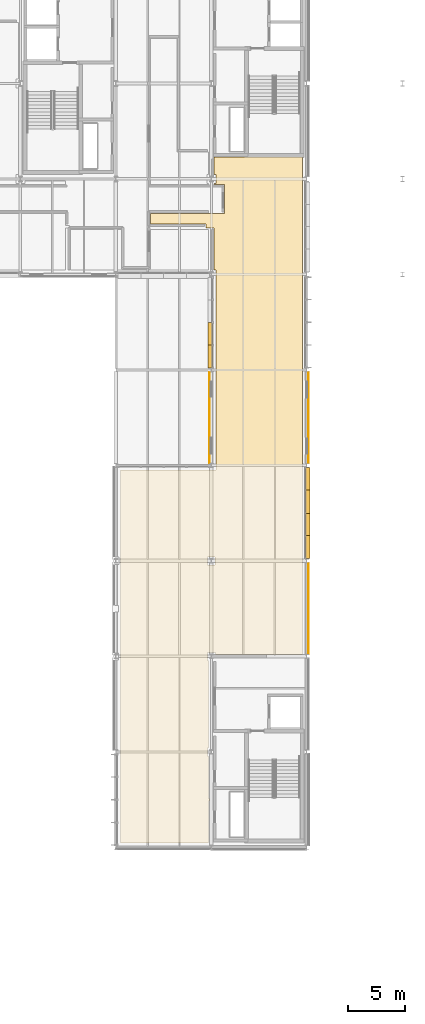
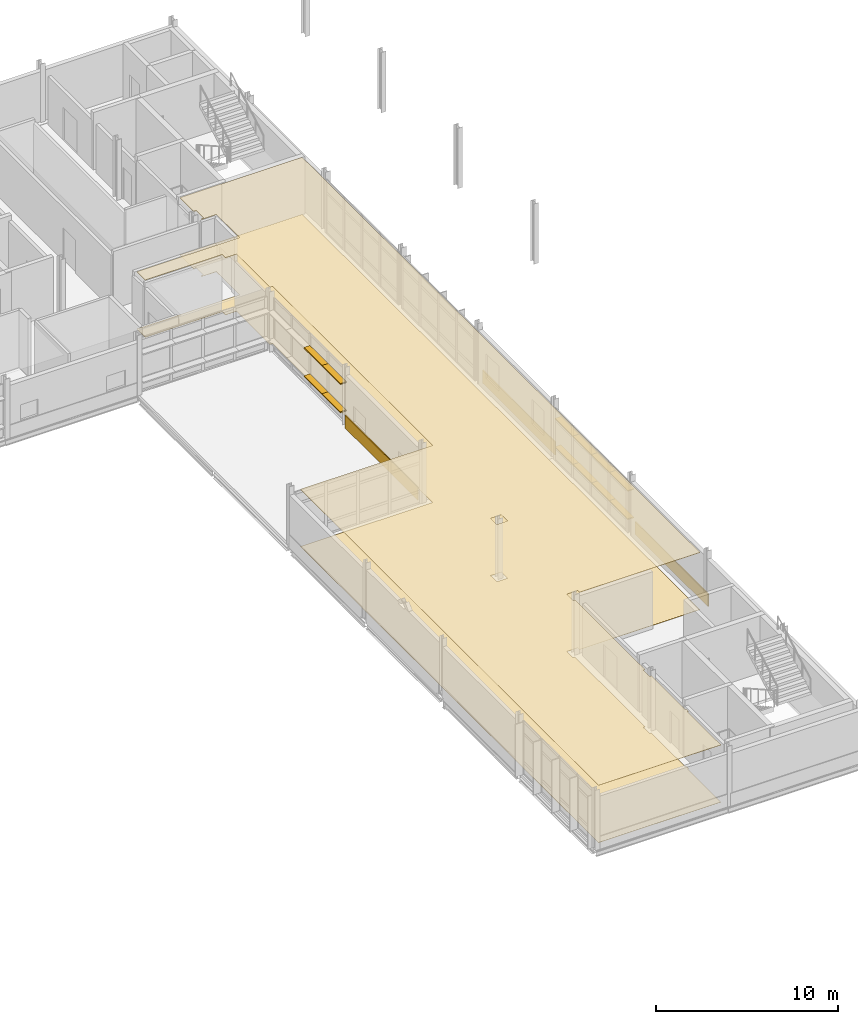
# One storey, part 100 of 103: 12 shading devices, 5 coverings.
"""IFC4 building model written with IfcOpenShell, lengths in metres."""

import ifcopenshell
import ifcopenshell.guid

model = None  # the IFC model being written
_history = None  # IfcOwnerHistory: only IFC2X3 demands one
_inside = {}  # id of a spatial element -> (the spatial element, [elements in it])
_under = {}  # id of a project, library or spatial element -> (it, [spatial elements below it])
_declared = {}  # id of a project -> (the project, [libraries it declares])
_typed = {}  # id of a type object -> (the type object, [elements of that type])
_made_of = {}  # id of a material, layer set ... -> (it, [elements and type objects made of it])


def new_model(schema):
    """Start an empty IFC model of exactly this schema.

    Asked for "IFC4X3", IfcOpenShell would pick the latest addendum, in which some entities
    have other attributes; the version numbers below select the first issue.
    IFC2X3 requires an IfcOwnerHistory on every rooted entity: one is made here for all.
    """
    global model, _history
    if schema == "IFC4X3":
        model = ifcopenshell.file(schema_version=(4, 3, 0, 0))
    else:
        model = ifcopenshell.file(schema=schema)
    _inside.clear()
    _under.clear()
    _declared.clear()
    _typed.clear()
    _made_of.clear()
    _history = None
    if model.schema == "IFC2X3":
        org = make("IfcOrganization", Name="unknown")
        user = make(
            "IfcPersonAndOrganization",
            ThePerson=make("IfcPerson", FamilyName="unknown"),
            TheOrganization=org,
        )
        app = make(
            "IfcApplication",
            ApplicationDeveloper=org,
            Version="unknown",
            ApplicationFullName="unknown",
            ApplicationIdentifier="unknown",
        )
        _history = make(
            "IfcOwnerHistory",
            OwningUser=user,
            OwningApplication=app,
            ChangeAction="ADDED",
            CreationDate=0,
        )
    return model


def make(cls, **values):
    """One entity of the class cls with the attributes given. An attribute that is None is left unset."""
    return model.create_entity(
        cls, **{name: value for name, value in values.items() if value is not None}
    )


def rooted(cls, **values):
    """An entity with a GlobalId (a new one), such as an element, a storey or a relation."""
    return make(cls, GlobalId=ifcopenshell.guid.new(), OwnerHistory=_history, **values)


def si_unit(unit_type, name, prefix=None):
    """IfcSIUnit, for example si_unit("LENGTHUNIT", "METRE", prefix="MILLI")."""
    return make("IfcSIUnit", UnitType=unit_type, Prefix=prefix, Name=name)


def assignment(units):
    """IfcUnitAssignment: the units of a project."""
    return None if units is None else make("IfcUnitAssignment", Units=units)


def point(xyz):
    """IfcCartesianPoint."""
    return None if xyz is None else make("IfcCartesianPoint", Coordinates=xyz)


def direction(xyz):
    """IfcDirection."""
    return None if xyz is None else make("IfcDirection", DirectionRatios=xyz)


def frame(location, z_axis=None, x_axis=None):
    """IfcAxis2Placement3D, a coordinate frame: its origin and axes. An axis left out is left unset."""
    return make(
        "IfcAxis2Placement3D",
        Location=point(location),
        Axis=direction(z_axis),
        RefDirection=direction(x_axis),
    )


def frame_2d(location, x_axis=None):
    """IfcAxis2Placement2D, a coordinate frame in the plane: its origin and x axis."""
    return make(
        "IfcAxis2Placement2D", Location=point(location), RefDirection=direction(x_axis)
    )


def origin():
    """The frame at (0, 0, 0) with its axes left unset."""
    return frame((0.0, 0.0, 0.0))


def origin_2d():
    """The frame at (0, 0) in the plane with its x axis left unset."""
    return frame_2d((0.0, 0.0))


def place(relative_to, where):
    """IfcLocalPlacement: puts the frame where relative to a parent placement (None: the world)."""
    return make(
        "IfcLocalPlacement", PlacementRelTo=relative_to, RelativePlacement=where
    )


def context(
    kind, dimensions, precision=None, world=None, true_north=None, identifier=None
):
    """IfcGeometricRepresentationContext, for example the 3D "Model" context."""
    return make(
        "IfcGeometricRepresentationContext",
        ContextIdentifier=identifier,
        ContextType=kind,
        CoordinateSpaceDimension=dimensions,
        Precision=precision,
        WorldCoordinateSystem=world,
        TrueNorth=true_north,
    )


def subcontext(parent, identifier, kind, view, scale=None):
    """IfcGeometricRepresentationSubContext, for example "Body" below "Model"."""
    return make(
        "IfcGeometricRepresentationSubContext",
        ContextIdentifier=identifier,
        ContextType=kind,
        ParentContext=parent,
        TargetScale=scale,
        TargetView=view,
    )


def project(units=None, contexts=None):
    """IfcProject with its units and contexts."""
    return rooted(
        "IfcProject",
        Name="project",
        RepresentationContexts=contexts,
        UnitsInContext=assignment(units),
    )


def spatial(cls, under=None, at=None, **own):
    """A site, building, storey or space (cls), placed at a placement, below another one or the project."""
    s = rooted(cls, ObjectPlacement=at, **own)
    if under is not None:
        _under.setdefault(under.id(), (under, []))[1].append(s)
    return s


def polyline(points):
    """IfcPolyline through the points."""
    return make("IfcPolyline", Points=[point(p) for p in points])


def profile(cls, at=None, kind="AREA", **sizes):
    """A parametric profile (cls). Its sizes go by their IFC names, for example OverallWidth=200.0."""
    return make(cls, ProfileType=kind, Position=at, **sizes)


def rectangle(**sizes):
    """IfcRectangleProfileDef."""
    return profile("IfcRectangleProfileDef", **sizes)


def outline(outer, holes=None, kind="AREA"):
    """IfcArbitraryClosedProfileDef: a profile drawn as a closed curve; with holes, ...WithVoids."""
    if holes is None:
        return make("IfcArbitraryClosedProfileDef", ProfileType=kind, OuterCurve=outer)
    return make(
        "IfcArbitraryProfileDefWithVoids",
        ProfileType=kind,
        OuterCurve=outer,
        InnerCurves=holes,
    )


def extrude(swept, where, along, depth):
    """IfcExtrudedAreaSolid: the profile swept, set in the frame where, extruded along a direction by depth."""
    return make(
        "IfcExtrudedAreaSolid",
        SweptArea=swept,
        Position=where,
        ExtrudedDirection=direction(along),
        Depth=depth,
    )


def shape(context_of_items, identifier, shape_type, items):
    """IfcShapeRepresentation: the items that make up one representation, for example the "Body"."""
    return make(
        "IfcShapeRepresentation",
        ContextOfItems=context_of_items,
        RepresentationIdentifier=identifier,
        RepresentationType=shape_type,
        Items=items,
    )


def material(Name=None, Category=None):
    """IfcMaterial."""
    return make("IfcMaterial", Name=Name, Category=Category)


def layer(
    of_material, thickness, ventilated=None, Name=None, Category=None, Priority=None
):
    """IfcMaterialLayer: one layer of a wall or slab, of a material (None: an air gap)."""
    return make(
        "IfcMaterialLayer",
        Material=of_material,
        LayerThickness=thickness,
        IsVentilated=ventilated,
        Name=Name,
        Category=Category,
        Priority=Priority,
    )


def layer_set(layers, Name=None):
    """IfcMaterialLayerSet."""
    return make("IfcMaterialLayerSet", MaterialLayers=layers, LayerSetName=Name)


def made_of(thing, what):
    """Note that an element or type object is made of a material, layer set ...; save() writes the relation."""
    if what is not None:
        _made_of.setdefault(what.id(), (what, []))[1].append(thing)
    return thing


def type_object(cls, material=None, **own):
    """A type object (cls), such as IfcWallType, which elements share."""
    return made_of(rooted(cls, **own), material)


def element(
    cls,
    number,
    at=None,
    inside=None,
    cuts=None,
    type_object=None,
    material=None,
    context=None,
    identifier="Body",
    shape_type=None,
    held_by="IfcProductDefinitionShape",
    body=None,
    shapes=None,
    **own,
):
    """One element of the class cls, such as IfcWall. Its Tag is "e" and its number.

    at: its placement. inside: the storey or other place that contains it. cuts: it is an
    opening in that element (IfcRelVoidsElement). A single representation is given by context,
    identifier, shape_type and body (its items); several are given by shapes. held_by: the class
    of the entity that holds the representations. save() writes the other relations.
    """
    e = rooted(cls, Tag="e%d" % number, ObjectPlacement=at, **own)
    if body is not None:
        shapes = [shape(context, identifier, shape_type, body)]
    if shapes is not None:
        e.Representation = make(held_by, Representations=shapes)
    if inside is not None:
        _inside.setdefault(inside.id(), (inside, []))[1].append(e)
    if cuts is not None:
        rooted(
            "IfcRelVoidsElement", RelatingBuildingElement=cuts, RelatedOpeningElement=e
        )
    if type_object is not None:
        _typed.setdefault(type_object.id(), (type_object, []))[1].append(e)
    return made_of(e, material)


def aggregate(whole, parts):
    """IfcRelAggregates: a whole, such as a stair, and the parts it consists of."""
    return rooted("IfcRelAggregates", RelatingObject=whole, RelatedObjects=parts)


def save(model, path):
    """Write the relations noted so far, then the file.

    IfcRelAggregates (storeys below a building ...), IfcRelContainedInSpatialStructure (elements
    in a storey), IfcRelDefinesByType, IfcRelAssociatesMaterial and IfcRelDeclares: one each for
    every whole, place, type object, material and project.
    """
    for whole, parts in _under.values():
        aggregate(whole, parts)
    for where, things in _inside.values():
        rooted(
            "IfcRelContainedInSpatialStructure",
            RelatedElements=things,
            RelatingStructure=where,
        )
    for kind, things in _typed.values():
        rooted("IfcRelDefinesByType", RelatedObjects=things, RelatingType=kind)
    for what, things in _made_of.values():
        rooted("IfcRelAssociatesMaterial", RelatedObjects=things, RelatingMaterial=what)
    for by, libraries in _declared.values():
        rooted("IfcRelDeclares", RelatingContext=by, RelatedDefinitions=libraries)
    model.write(path)


model = new_model("IFC4")

# Units and contexts
model_context = context("Model", 3, precision=1e-05, world=origin(), true_north=direction((0.0, 1.0)))
body_context = subcontext(model_context, "Body", "Model", "MODEL_VIEW")
ifc_project = project(units=[si_unit("LENGTHUNIT", "METRE"), si_unit("AREAUNIT", "SQUARE_METRE"), si_unit("VOLUMEUNIT", "CUBIC_METRE"), si_unit("PLANEANGLEUNIT", "RADIAN"), si_unit("MASSUNIT", "GRAM", prefix="KILO")], contexts=[model_context])

# Site, building, storey
site_placement = place(None, origin())
site = spatial("IfcSite", under=ifc_project, at=site_placement, CompositionType="ELEMENT")
building_placement = place(site_placement, origin())
building = spatial("IfcBuilding", under=site, at=building_placement, Name="Mersafa Astral City Hall", CompositionType="ELEMENT")
storey_placement = place(building_placement, frame((0.0, 0.0, 18.0)))
storey = spatial("IfcBuildingStorey", under=building, at=storey_placement, Name="L04", CompositionType="ELEMENT", Elevation=18.0)

# Coverings
ifc_material_1 = material(Name="Cairo Mokattam buff limestone cladding", Category="masonry")
ifc_layer_1 = layer(ifc_material_1, 0.06005859375, Name="Cairo Mokattam buff limestone cladding")
ifc_layer_set_1 = layer_set([ifc_layer_1], Name="Cairo Mokattam buff limestone cladding — ENV-COV-LIMESTONE-60")
covering_type_1 = type_object("IfcCoveringType", Name="ENV-COV-LIMESTONE-60", PredefinedType="CLADDING", material=ifc_layer_set_1)
for number, where, z_axis, x_axis, name in (
    (1, (176.554443359375, 71.39501953125, 0.0), (0.0, 0.0, 1.0), (0.0, 1.0, 0.0), "L04 Cairo buff limestone rainscreen cladding 276"),
    (2, (176.547119140625, 88.195068359375, 0.0), (0.0, 0.0, 1.0), (0.0, 1.0, 0.0), "L04 Cairo buff limestone rainscreen cladding 277"),
    (3, (167.837890625, 88.205078125, 0.0), (0.0, 0.0, 1.0), (0.0, -1.0, 0.0), "L04 Cairo buff limestone rainscreen cladding 316"),
):
    element("IfcCovering", number, at=place(storey_placement, frame(where, z_axis=z_axis, x_axis=x_axis)), inside=storey, type_object=covering_type_1, Name=name, PredefinedType="CLADDING", context=body_context, shape_type="SweptSolid", body=[
        extrude(rectangle(XDim=7.998046875, YDim=0.06005859375, at=origin_2d()), origin(), (0.0, 0.0, 1.0), 0.860107421875),
    ])

# Shading devices
ifc_material_2 = material(Name="Kiln-dried cedar timber brise-soleil blade", Category="wood")
shading_device_type = type_object("IfcShadingDeviceType", Name="ENV-SHD-LOUVRE-380", PredefinedType="JALOUSIE", material=ifc_material_2)
shading_device_1_placement = place(storey_placement, frame((176.47998046875, 76.810302734375, 0.81494140625), z_axis=(0.0, 0.0, 1.0), x_axis=(0.0, 1.0, 0.0)))
element("IfcShadingDevice", 4, at=shading_device_1_placement, inside=storey, type_object=shading_device_type, Name="L04 Horizontal cedar brise-soleil louvre 1215", PredefinedType="JALOUSIE", context=body_context, shape_type="SweptSolid", body=[
    extrude(rectangle(XDim=2.0166015625, YDim=0.3798828125, at=origin_2d()), origin(), (0.0, 0.0, 1.0), 0.070068359375),
])
for number, where, z_axis, x_axis, name in (
    (5, (176.47998046875, 78.8017578125, 0.81494140625), (0.0, 0.0, 1.0), (0.0, 1.0, 0.0), "L04 Horizontal cedar brise-soleil louvre 1216"),
    (6, (176.47998046875, 80.808349609375, 0.81494140625), (0.0, 0.0, 1.0), (0.0, 1.0, 0.0), "L04 Horizontal cedar brise-soleil louvre 1217"),
):
    element("IfcShadingDevice", number, at=place(storey_placement, frame(where, z_axis=z_axis, x_axis=x_axis)), inside=storey, type_object=shading_device_type, Name=name, PredefinedType="JALOUSIE", context=body_context, shape_type="SweptSolid", body=[
        extrude(rectangle(XDim=2.04638671875, YDim=0.3798828125, at=origin_2d()), origin(), (0.0, 0.0, 1.0), 0.070068359375),
    ])
for number, where, z_axis, x_axis, name in (
    (7, (176.47998046875, 82.7998046875, 0.81494140625), (0.0, 0.0, 1.0), (0.0, 1.0, 0.0), "L04 Horizontal cedar brise-soleil louvre 1218"),
    (8, (176.47998046875, 76.810302734375, 2.71484375), (0.0, 0.0, 1.0), (0.0, 1.0, 0.0), "L04 Horizontal cedar brise-soleil louvre 1219"),
):
    element("IfcShadingDevice", number, at=place(storey_placement, frame(where, z_axis=z_axis, x_axis=x_axis)), inside=storey, type_object=shading_device_type, Name=name, PredefinedType="JALOUSIE", context=body_context, shape_type="SweptSolid", body=[
        extrude(rectangle(XDim=2.0166015625, YDim=0.3798828125, at=origin_2d()), origin(), (0.0, 0.0, 1.0), 0.070068359375),
    ])
for number, where, z_axis, x_axis, name in (
    (9, (176.47998046875, 78.8017578125, 2.71484375), (0.0, 0.0, 1.0), (0.0, 1.0, 0.0), "L04 Horizontal cedar brise-soleil louvre 1220"),
    (10, (176.47998046875, 80.808349609375, 2.71484375), (0.0, 0.0, 1.0), (0.0, 1.0, 0.0), "L04 Horizontal cedar brise-soleil louvre 1221"),
):
    element("IfcShadingDevice", number, at=place(storey_placement, frame(where, z_axis=z_axis, x_axis=x_axis)), inside=storey, type_object=shading_device_type, Name=name, PredefinedType="JALOUSIE", context=body_context, shape_type="SweptSolid", body=[
        extrude(rectangle(XDim=2.04638671875, YDim=0.3798828125, at=origin_2d()), origin(), (0.0, 0.0, 1.0), 0.070068359375),
    ])
shading_device_2_placement = place(storey_placement, frame((176.47998046875, 82.7998046875, 2.71484375), z_axis=(0.0, 0.0, 1.0), x_axis=(0.0, 1.0, 0.0)))
element("IfcShadingDevice", 11, at=shading_device_2_placement, inside=storey, type_object=shading_device_type, Name="L04 Horizontal cedar brise-soleil louvre 1222", PredefinedType="JALOUSIE", context=body_context, shape_type="SweptSolid", body=[
    extrude(rectangle(XDim=2.0166015625, YDim=0.3798828125, at=origin_2d()), origin(), (0.0, 0.0, 1.0), 0.070068359375),
])
shading_device_3_placement = place(storey_placement, frame((167.919921875, 95.574951171875, 0.81494140625), z_axis=(0.0, 0.0, 1.0), x_axis=(0.0, -1.0, 0.0)))
element("IfcShadingDevice", 12, at=shading_device_3_placement, inside=storey, type_object=shading_device_type, Name="L04 Horizontal cedar brise-soleil louvre 1428", PredefinedType="JALOUSIE", context=body_context, shape_type="SweptSolid", body=[
    extrude(rectangle(XDim=2.035400390625, YDim=0.3798828125, at=origin_2d()), origin(), (0.0, 0.0, 1.0), 0.070068359375),
])
shading_device_4_placement = place(storey_placement, frame((167.919921875, 93.594482421875, 0.81494140625), z_axis=(0.0, 0.0, 1.0), x_axis=(0.0, -1.0, 0.0)))
element("IfcShadingDevice", 13, at=shading_device_4_placement, inside=storey, type_object=shading_device_type, Name="L04 Horizontal cedar brise-soleil louvre 1429", PredefinedType="JALOUSIE", context=body_context, shape_type="SweptSolid", body=[
    extrude(rectangle(XDim=2.00537109375, YDim=0.3798828125, at=origin_2d()), origin(), (0.0, 0.0, 1.0), 0.070068359375),
])
shading_device_5_placement = place(storey_placement, frame((167.919921875, 95.574951171875, 2.71484375), z_axis=(0.0, 0.0, 1.0), x_axis=(0.0, -1.0, 0.0)))
element("IfcShadingDevice", 14, at=shading_device_5_placement, inside=storey, type_object=shading_device_type, Name="L04 Horizontal cedar brise-soleil louvre 1432", PredefinedType="JALOUSIE", context=body_context, shape_type="SweptSolid", body=[
    extrude(rectangle(XDim=2.035400390625, YDim=0.3798828125, at=origin_2d()), origin(), (0.0, 0.0, 1.0), 0.070068359375),
])
shading_device_6_placement = place(storey_placement, frame((167.919921875, 93.594482421875, 2.71484375), z_axis=(0.0, 0.0, 1.0), x_axis=(0.0, -1.0, 0.0)))
element("IfcShadingDevice", 15, at=shading_device_6_placement, inside=storey, type_object=shading_device_type, Name="L04 Horizontal cedar brise-soleil louvre 1433", PredefinedType="JALOUSIE", context=body_context, shape_type="SweptSolid", body=[
    extrude(rectangle(XDim=2.00537109375, YDim=0.3798828125, at=origin_2d()), origin(), (0.0, 0.0, 1.0), 0.070068359375),
])

# Coverings
ifc_material_3 = material(Name="Perforated acoustic gypsum board ceiling", Category="gypsum")
ifc_layer_2 = layer(ifc_material_3, 0.02490234375, Name="Perforated acoustic gypsum board ceiling")
ifc_layer_set_2 = layer_set([ifc_layer_2], Name="Perforated acoustic gypsum board ceiling — INT-COV-CEIL-25")
covering_type_2 = type_object("IfcCoveringType", Name="INT-COV-CEIL-25", PredefinedType="CEILING", material=ifc_layer_set_2)
covering_1_placement = place(storey_placement, frame((0.0, 0.0, 3.8310546875)))
element("IfcCovering", 16, at=covering_1_placement, inside=storey, type_object=covering_type_2, Name="L04 Heritage & Historic Cairo Office L04-05 acoustic ceiling", PredefinedType="CEILING", context=body_context, shape_type="SweptSolid", body=[
    extrude(outline(polyline([(168.39990234375, 83.60009765625), (168.39990234375, 101.199951171875), (168.22998046875, 101.199951171875), (168.22998046875, 104.8798828125), (167.530029296875, 104.8798828125), (167.530029296875, 105.22998046875), (162.639892578125, 105.22998046875), (162.639892578125, 106.159912109375), (169.169921875, 106.159912109375), (169.169921875, 108.719970703125), (168.22998046875, 108.719970703125), (168.22998046875, 108.804931640625), (168.39501953125, 108.804931640625), (168.39501953125, 109.594970703125), (168.22998046875, 109.594970703125), (168.22998046875, 111.1201171875), (176.0, 111.1201171875), (176.0, 67.360107421875), (168.35009765625, 67.360107421875), (168.35009765625, 67.550048828125), (167.64990234375, 67.550048828125), (167.64990234375, 66.85009765625), (167.77001953125, 66.85009765625), (167.77001953125, 59.139892578125), (167.659912109375, 59.139892578125), (167.659912109375, 58.4599609375), (167.77001953125, 58.4599609375), (167.77001953125, 54.719970703125), (167.840087890625, 54.719970703125), (167.840087890625, 54.47998046875), (167.77001953125, 54.47998046875), (167.77001953125, 50.800048828125), (160.0, 50.800048828125), (160.0, 83.60009765625), (168.39990234375, 83.60009765625)]), holes=[polyline([(168.340087890625, 75.260009765625), (168.340087890625, 75.93994140625), (167.659912109375, 75.93994140625), (167.659912109375, 75.260009765625), (168.340087890625, 75.260009765625)])]), origin(), (0.0, 0.0, 1.0), 0.02490234375),
])
ifc_material_4 = material(Name="Heavy-duty woven acoustic carpet tile", Category="finish")
ifc_layer_3 = layer(ifc_material_4, 0.014892578125, Name="Heavy-duty woven acoustic carpet tile")
ifc_layer_set_3 = layer_set([ifc_layer_3], Name="Heavy-duty woven acoustic carpet tile — INT-COV-FLR-15")
covering_type_3 = type_object("IfcCoveringType", Name="INT-COV-FLR-15", PredefinedType="FLOORING", material=ifc_layer_set_3)
covering_2_placement = place(storey_placement, frame((0.0, 0.0, -0.00146484375)))
element("IfcCovering", 17, at=covering_2_placement, inside=storey, type_object=covering_type_3, Name="L04 Heritage & Historic Cairo Office L04-05 architectural flooring", PredefinedType="FLOORING", context=body_context, shape_type="SweptSolid", body=[
    extrude(outline(polyline([(168.39990234375, 83.60009765625), (168.39990234375, 101.199951171875), (168.22998046875, 101.199951171875), (168.22998046875, 104.8798828125), (167.530029296875, 104.8798828125), (167.530029296875, 105.22998046875), (162.639892578125, 105.22998046875), (162.639892578125, 106.159912109375), (169.169921875, 106.159912109375), (169.169921875, 108.719970703125), (168.22998046875, 108.719970703125), (168.22998046875, 108.804931640625), (168.39501953125, 108.804931640625), (168.39501953125, 109.594970703125), (168.22998046875, 109.594970703125), (168.22998046875, 111.1201171875), (176.0, 111.1201171875), (176.0, 67.360107421875), (168.35009765625, 67.360107421875), (168.35009765625, 67.550048828125), (167.64990234375, 67.550048828125), (167.64990234375, 66.85009765625), (167.77001953125, 66.85009765625), (167.77001953125, 59.139892578125), (167.659912109375, 59.139892578125), (167.659912109375, 58.4599609375), (167.77001953125, 58.4599609375), (167.77001953125, 54.719970703125), (167.840087890625, 54.719970703125), (167.840087890625, 54.47998046875), (167.77001953125, 54.47998046875), (167.77001953125, 50.800048828125), (160.0, 50.800048828125), (160.0, 83.60009765625), (168.39990234375, 83.60009765625)]), holes=[polyline([(168.340087890625, 75.260009765625), (168.340087890625, 75.93994140625), (167.659912109375, 75.93994140625), (167.659912109375, 75.260009765625), (168.340087890625, 75.260009765625)])]), origin(), (0.0, 0.0, 1.0), 0.014892578125),
])

save(model, "model.ifc")
